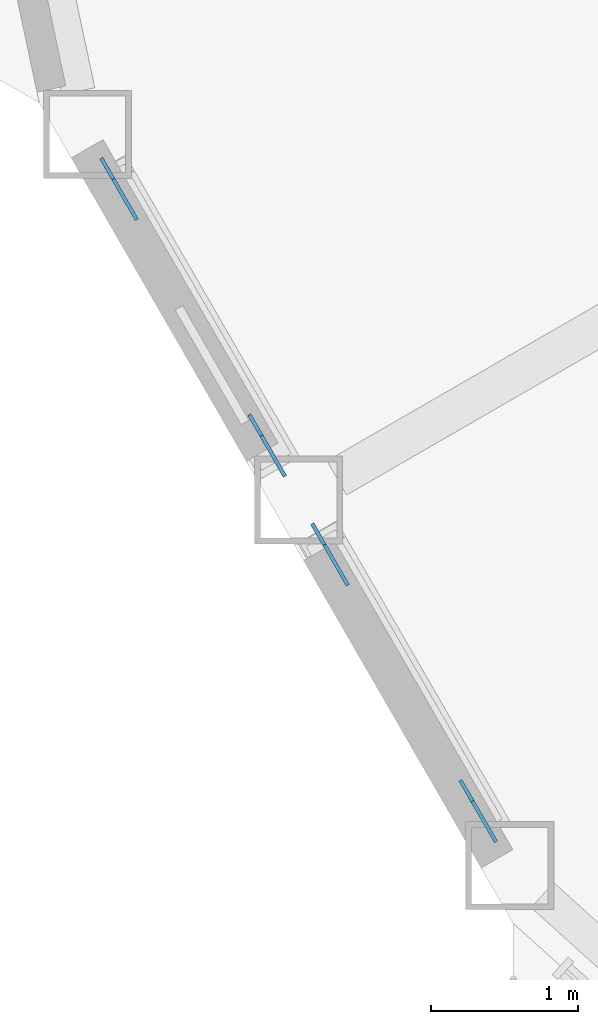
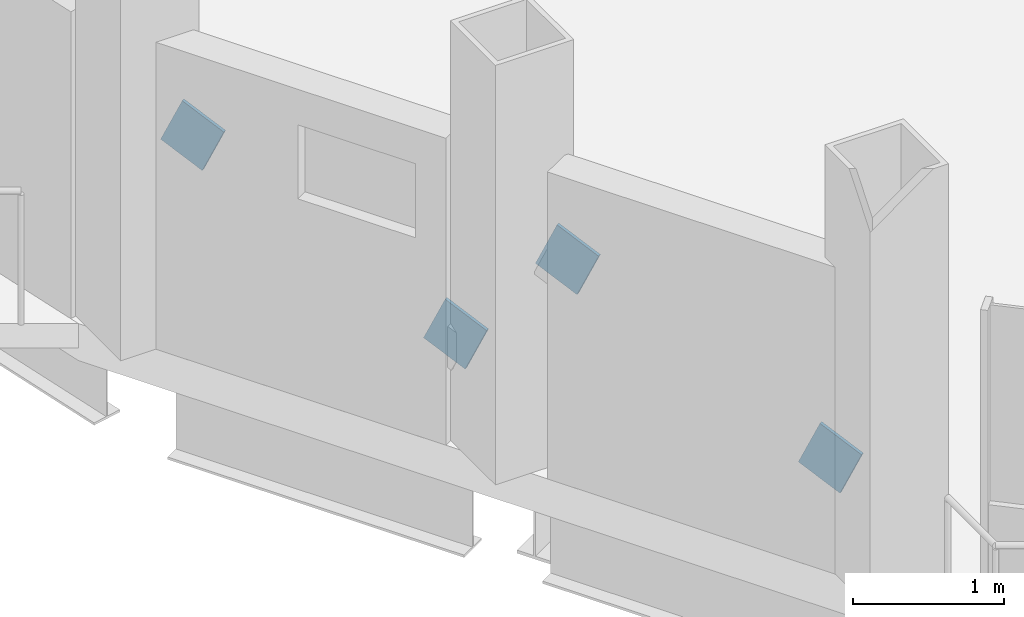
# One storey, part 19 of 26: 4 discrete accessories.
"""IFC4 building model written with IfcOpenShell, lengths in metres."""

from ifc_helpers import new_model, si_unit, direction, frame, origin, origin_2d, place, context, subcontext, project, spatial, rectangle, extrude, material, material_profile, profile_set, type_object, element, save


model = new_model("IFC4")

# Units and contexts
model_context = context("Model", 3, precision=1e-05, world=origin(), true_north=direction((0.0, 1.0)))
body_context = subcontext(model_context, "Body", "Model", "MODEL_VIEW")
ifc_project = project(units=[si_unit("LENGTHUNIT", "METRE"), si_unit("AREAUNIT", "SQUARE_METRE"), si_unit("VOLUMEUNIT", "CUBIC_METRE"), si_unit("PLANEANGLEUNIT", "RADIAN"), si_unit("MASSUNIT", "GRAM", prefix="KILO")], contexts=[model_context])

# Site, building, storey
site_placement = place(None, origin())
site = spatial("IfcSite", under=ifc_project, at=site_placement, CompositionType="ELEMENT")
building_placement = place(site_placement, origin())
building = spatial("IfcBuilding", under=site, at=building_placement, Name="Cormorant Prow Tower", CompositionType="ELEMENT")
storey_placement = place(building_placement, frame((0.0, 0.0, 325.60009765625)))
storey = spatial("IfcBuildingStorey", under=building, at=storey_placement, Name="L72", CompositionType="ELEMENT", Elevation=325.60009765625)

# Discrete accessories
ifc_material = material(Name="Structural steel ASTM A500 Gr C", Category="steel")
ifc_material_profile = material_profile(ifc_material, rectangle(XDim=0.02490234375, YDim=0.405029296875, at=origin_2d()), Name="Gusset plate 25x405")
ifc_profile_set = profile_set([ifc_material_profile], Name="Structural steel ASTM A500 Gr C")
discrete_accessory_type = type_object("IfcDiscreteAccessoryType", Name="Gusset plate 25x405", PredefinedType="BRACKET", material=ifc_profile_set)
discrete_accessory_1_placement = place(storey_placement, frame((-27.7265625, -15.328369140625, 0.86376953125), z_axis=(0.456109312262, -0.790171025676, -0.409382517274), x_axis=(0.866071029786, 0.499920965119, 0.0)))
element("IfcDiscreteAccessory", 1, at=discrete_accessory_1_placement, inside=storey, type_object=discrete_accessory_type, Name="Gusset plate GP3 L72.WSW00.g0", PredefinedType="BRACKET", context=body_context, shape_type="SweptSolid", body=[
    extrude(rectangle(XDim=0.02490234375, YDim=0.405029296875, at=origin_2d()), origin(), (0.0, 0.0, 1.0), 0.35009765625),
])
discrete_accessory_2_placement = place(storey_placement, frame((-28.574951171875, -13.85888671875, 1.6240234375), z_axis=(-0.456239480558, 0.790396531303, 0.408801736402), x_axis=(-0.866071029786, -0.499920965119, 0.0)))
element("IfcDiscreteAccessory", 2, at=discrete_accessory_2_placement, inside=storey, type_object=discrete_accessory_type, Name="Gusset plate GP3 L72.WSW00.g1", PredefinedType="BRACKET", context=body_context, shape_type="SweptSolid", body=[
    extrude(rectangle(XDim=0.02490234375, YDim=0.405029296875, at=origin_2d()), origin(), (0.0, 0.0, 1.0), 0.349853515625),
])
discrete_accessory_3_placement = place(storey_placement, frame((-26.289794921875, -17.817138671875, 0.86376953125), z_axis=(0.456661376387, -0.789919602208, -0.409252256395), x_axis=(0.865740004385, 0.50049400077, 0.0)))
element("IfcDiscreteAccessory", 3, at=discrete_accessory_3_placement, inside=storey, type_object=discrete_accessory_type, Name="Gusset plate GP3 L72.WSW01.g0", PredefinedType="BRACKET", context=body_context, shape_type="SweptSolid", body=[
    extrude(rectangle(XDim=0.02490234375, YDim=0.405029296875, at=origin_2d()), origin(), (0.0, 0.0, 1.0), 0.35009765625),
])
discrete_accessory_4_placement = place(storey_placement, frame((-27.137939453125, -16.34765625, 1.6240234375), z_axis=(-0.45649114423, 0.790134518758, 0.409027233209), x_axis=(-0.865879799044, -0.500252110048, 0.0)))
element("IfcDiscreteAccessory", 4, at=discrete_accessory_4_placement, inside=storey, type_object=discrete_accessory_type, Name="Gusset plate GP3 L72.WSW01.g1", PredefinedType="BRACKET", context=body_context, shape_type="SweptSolid", body=[
    extrude(rectangle(XDim=0.02490234375, YDim=0.405029296875, at=origin_2d()), origin(), (0.0, 0.0, 1.0), 0.349853515625),
])

save(model, "model.ifc")
